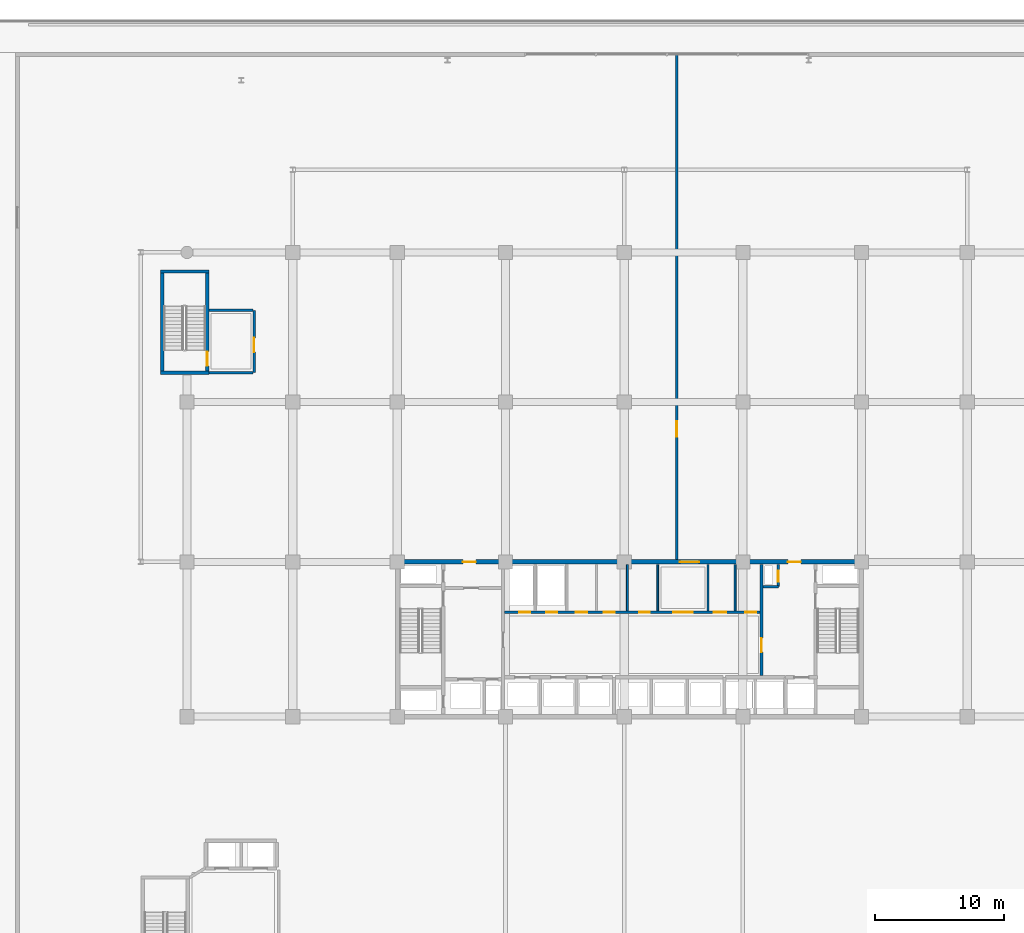
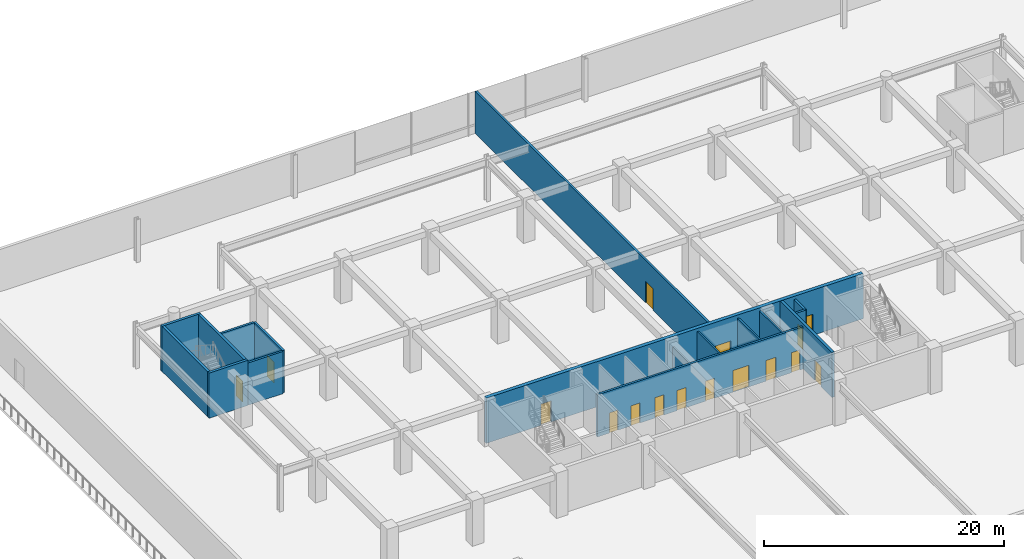
# One storey, part 25 of 45: 17 walls, 16 doors, 16 openings.
"""IFC4 building model written with IfcOpenShell, lengths in metres."""

from ifc_helpers import new_model, si_unit, direction, frame, frame_2d, origin, place, context, subcontext, project, spatial, rectangle, extrude, material, layer, layer_set, type_object, element, fill, save


model = new_model("IFC4")

# Units and contexts
model_context = context("Model", 3, precision=1e-05, world=origin(), true_north=direction((0.0, 1.0)))
body_context = subcontext(model_context, "Body", "Model", "MODEL_VIEW")
ifc_project = project(units=[si_unit("LENGTHUNIT", "METRE"), si_unit("AREAUNIT", "SQUARE_METRE"), si_unit("VOLUMEUNIT", "CUBIC_METRE"), si_unit("PLANEANGLEUNIT", "RADIAN"), si_unit("MASSUNIT", "GRAM", prefix="KILO")], contexts=[model_context])

# Site, building, storey
site_placement = place(None, origin())
site = spatial("IfcSite", under=ifc_project, at=site_placement, CompositionType="ELEMENT")
building_placement = place(site_placement, origin())
building = spatial("IfcBuilding", under=site, at=building_placement, Name="Korimba Cascade Residences", CompositionType="ELEMENT")
storey_placement = place(building_placement, frame((0.0, 0.0, 5.39990234375)))
storey = spatial("IfcBuildingStorey", under=building, at=storey_placement, Name="L01", CompositionType="ELEMENT", Elevation=5.39990234375)

# Wall, openings, doors
ifc_material_1 = material(Name="Concrete C65/80", Category="concrete")
ifc_layer_1 = layer(ifc_material_1, 0.35009765625)
ifc_layer_set_1 = layer_set([ifc_layer_1], Name="Concrete C65/80")
wall_type_1 = type_object("IfcWallType", Name="WAL-CORE-350", PredefinedType="SHEAR", material=ifc_layer_set_1)
wall_1_placement = place(storey_placement, frame((75.949951171875, 67.199951171875, 0.0), z_axis=(0.0, 0.0, 1.0), x_axis=(1.0, 0.0, 0.0)))
wall_1 = element("IfcWall", 1, at=wall_1_placement, inside=storey, type_object=wall_type_1, Name="L01 Core Shear Wall CW-L01-T1-N", PredefinedType="SHEAR", context=body_context, shape_type="SweptSolid", body=[
    extrude(rectangle(XDim=36.300048828125, YDim=0.35009765625, at=frame_2d((18.14990234375, 0.0))), origin(), (0.0, 0.0, 1.0), 4.60009765625),
])
opening_1_placement = place(wall_1_placement, frame((5.25, 0.0, 0.0)))
opening_1 = element("IfcOpeningElement", 2, at=opening_1_placement, cuts=wall_1, Name="Opening D-FD5", PredefinedType="OPENING", context=body_context, shape_type="SweptSolid", body=[
    extrude(rectangle(XDim=1.0, YDim=2.14990234375, at=frame_2d((0.5, 1.074951171875))), frame((0.0, 0.18505859375, 0.0), z_axis=(0.0, -1.0, 0.0), x_axis=(1.0, 0.0, 0.0)), (0.0, 0.0, 1.0), 0.3701171875),
])
opening_2_placement = place(wall_1_placement, frame((22.05810546875, 0.0, 0.0)))
opening_2 = element("IfcOpeningElement", 3, at=opening_2_placement, cuts=wall_1, Name="Opening D-FD8", PredefinedType="OPENING", context=body_context, shape_type="SweptSolid", body=[
    extrude(rectangle(XDim=1.5, YDim=2.199951171875, at=frame_2d((0.75, 1.10009765625))), frame((0.0, 0.18505859375, 0.0), z_axis=(0.0, -1.0, 0.0), x_axis=(1.0, 0.0, 0.0)), (0.0, 0.0, 1.0), 0.3701171875),
])
opening_3_placement = place(wall_1_placement, frame((30.449951171875, 0.0, 0.0)))
opening_3 = element("IfcOpeningElement", 4, at=opening_3_placement, cuts=wall_1, Name="Opening D-FD5", PredefinedType="OPENING", context=body_context, shape_type="SweptSolid", body=[
    extrude(rectangle(XDim=1.0, YDim=2.14990234375, at=frame_2d((0.5, 1.074951171875))), frame((0.0, 0.18505859375, 0.0), z_axis=(0.0, -1.0, 0.0), x_axis=(1.0, 0.0, 0.0)), (0.0, 0.0, 1.0), 0.3701171875),
])
ifc_material_2 = material(Name="Fire-Rated Acoustic Timber Vestibule Door", Category="wood")
door_type_1 = type_object("IfcDoorType", Name="DR-FD90-1000", OperationType="NOTDEFINED", PredefinedType="DOOR", material=ifc_material_2)
door_1_placement = place(opening_1_placement, origin())
door_1 = element("IfcDoor", 5, at=door_1_placement, inside=storey, type_object=door_type_1, Name="L01 T1 West Core Vestibule Fire Door", OperationType="SINGLE_SWING_LEFT", OverallHeight=2.14990234375, OverallWidth=1.0, PredefinedType="DOOR", context=body_context, shape_type="SweptSolid", body=[
    extrude(rectangle(XDim=1.0, YDim=2.14990234375, at=frame_2d((0.5, 1.074951171875))), frame((0.0, 0.02490234375, 0.0), z_axis=(0.0, -1.0, 0.0), x_axis=(1.0, 0.0, 0.0)), (0.0, 0.0, 1.0), 0.050048828125),
])
fill(opening_1, door_1)
door_2_placement = place(opening_3_placement, origin())
door_2 = element("IfcDoor", 6, at=door_2_placement, inside=storey, type_object=door_type_1, Name="L01 T1 East Firefighting Vestibule Fire Door", OperationType="SINGLE_SWING_RIGHT", OverallHeight=2.14990234375, OverallWidth=1.0, PredefinedType="DOOR", context=body_context, shape_type="SweptSolid", body=[
    extrude(rectangle(XDim=1.0, YDim=2.14990234375, at=frame_2d((0.5, 1.074951171875))), frame((0.0, 0.02490234375, 0.0), z_axis=(0.0, -1.0, 0.0), x_axis=(1.0, 0.0, 0.0)), (0.0, 0.0, 1.0), 0.050048828125),
])
fill(opening_3, door_2)
ifc_material_3 = material(Name="Fire-Rated Glazed Lift Lobby Double Door", Category="glass")
door_type_2 = type_object("IfcDoorType", Name="DR-FD90-1500", OperationType="NOTDEFINED", PredefinedType="DOOR", material=ifc_material_3)
door_3_placement = place(opening_2_placement, origin())
door_3 = element("IfcDoor", 7, at=door_3_placement, inside=storey, type_object=door_type_2, Name="L01 T1 Lift Lobby Fire Door", OperationType="DOUBLE_DOOR_SINGLE_SWING", OverallHeight=2.199951171875, OverallWidth=1.5, PredefinedType="DOOR", context=body_context, shape_type="SweptSolid", body=[
    extrude(rectangle(XDim=1.5, YDim=2.199951171875, at=frame_2d((0.75, 1.10009765625))), frame((0.0, 0.02490234375, 0.0), z_axis=(0.0, -1.0, 0.0), x_axis=(1.0, 0.0, 0.0)), (0.0, 0.0, 1.0), 0.050048828125),
])
fill(opening_2, door_3)

# Walls
ifc_material_4 = material(Name="Insulated Acoustic Stud Partition", Category="gypsum")
ifc_layer_2 = layer(ifc_material_4, 0.14990234375)
ifc_layer_set_2 = layer_set([ifc_layer_2], Name="Insulated Acoustic Stud Partition")
wall_type_2 = type_object("IfcWallType", Name="WAL-PART-150", PredefinedType="PARTITIONING", material=ifc_layer_set_2)
wall_2_placement = place(storey_placement, frame((93.949951171875, 63.39990234375, 0.0), z_axis=(0.0, 0.0, 1.0), x_axis=(0.0, 1.0, 0.0)))
element("IfcWall", 8, at=wall_2_placement, inside=storey, type_object=wall_type_2, Name="L01 Partition Wall CW-L01-T1-CA1W2", PredefinedType="PARTITIONING", context=body_context, shape_type="SweptSolid", body=[
    extrude(rectangle(XDim=3.60009765625, YDim=0.14990234375, at=frame_2d((1.800048828125, 0.0))), origin(), (0.0, 0.0, 1.0), 3.550048828125),
])
for number, where, z_axis, x_axis, name in (
    (9, (102.300048828125, 63.39990234375, 0.0), (0.0, 0.0, 1.0), (0.0, 1.0, 0.0), "L01 Partition Wall CW-L01-T1-CA1E1"),
    (10, (96.300048828125, 63.39990234375, 0.0), (0.0, 0.0, 1.0), (0.0, 1.0, 0.0), "L01 Partition Wall CW-L01-T1-THW"),
    (11, (100.199951171875, 63.39990234375, 0.0), (0.0, 0.0, 1.0), (0.0, 1.0, 0.0), "L01 Partition Wall CW-L01-T1-THE"),
):
    element("IfcWall", number, at=place(storey_placement, frame(where, z_axis=z_axis, x_axis=x_axis)), inside=storey, type_object=wall_type_2, Name=name, PredefinedType="PARTITIONING", context=body_context, shape_type="SweptSolid", body=[
        extrude(rectangle(XDim=3.60009765625, YDim=0.14990234375, at=frame_2d((1.800048828125, 0.0))), origin(), (0.0, 0.0, 1.0), 4.300048828125),
    ])

# Wall, openings, doors
ifc_material_5 = material(Name="Concrete C40/50", Category="concrete")
ifc_layer_3 = layer(ifc_material_5, 0.199951171875)
ifc_layer_set_3 = layer_set([ifc_layer_3], Name="Concrete C40/50")
wall_type_3 = type_object("IfcWallType", Name="WAL-PART-200", PredefinedType="PARTITIONING", material=ifc_layer_set_3)
wall_3_placement = place(storey_placement, frame((84.419921875, 63.300048828125, 0.0), z_axis=(0.0, 0.0, 1.0), x_axis=(1.0, 0.0, 0.0)))
wall_3 = element("IfcWall", 12, at=wall_3_placement, inside=storey, type_object=wall_type_3, Name="L01 Partition Wall CW-L01-T1-SRVROW", PredefinedType="PARTITIONING", context=body_context, shape_type="SweptSolid", body=[
    extrude(rectangle(XDim=19.830078125, YDim=0.199951171875, at=frame_2d((9.9150390625, 0.0))), origin(), (0.0, 0.0, 1.0), 4.300048828125),
])
opening_4_placement = place(wall_3_placement, frame((1.14990234375, 0.0, 0.0)))
opening_4 = element("IfcOpeningElement", 13, at=opening_4_placement, cuts=wall_3, Name="Opening D-RS1", PredefinedType="OPENING", context=body_context, shape_type="SweptSolid", body=[
    extrude(rectangle(XDim=0.85009765625, YDim=2.050048828125, at=frame_2d((0.425048828125, 1.02490234375))), frame((0.0, 0.10986328125, 0.0), z_axis=(0.0, -1.0, 0.0), x_axis=(1.0, 0.0, 0.0)), (0.0, 0.0, 1.0), 0.219970703125),
])
opening_5_placement = place(wall_3_placement, frame((3.25, 0.0, 0.0)))
opening_5 = element("IfcOpeningElement", 14, at=opening_5_placement, cuts=wall_3, Name="Opening D-RS1", PredefinedType="OPENING", context=body_context, shape_type="SweptSolid", body=[
    extrude(rectangle(XDim=0.85009765625, YDim=2.050048828125, at=frame_2d((0.425048828125, 1.02490234375))), frame((0.0, 0.10986328125, 0.0), z_axis=(0.0, -1.0, 0.0), x_axis=(1.0, 0.0, 0.0)), (0.0, 0.0, 1.0), 0.219970703125),
])
opening_6_placement = place(wall_3_placement, frame((13.080078125, 0.0, 0.0)))
opening_6 = element("IfcOpeningElement", 15, at=opening_6_placement, cuts=wall_3, Name="Opening D-FD8", PredefinedType="OPENING", context=body_context, shape_type="SweptSolid", body=[
    extrude(rectangle(XDim=1.5, YDim=2.199951171875, at=frame_2d((0.75, 1.10009765625))), frame((0.0, 0.10986328125, 0.0), z_axis=(0.0, -1.0, 0.0), x_axis=(1.0, 0.0, 0.0)), (0.0, 0.0, 1.0), 0.219970703125),
])
opening_7_placement = place(wall_3_placement, frame((5.530029296875, 0.0, 0.0)))
opening_7 = element("IfcOpeningElement", 16, at=opening_7_placement, cuts=wall_3, Name="Opening D-IN2", PredefinedType="OPENING", context=body_context, shape_type="SweptSolid", body=[
    extrude(rectangle(XDim=0.8798828125, YDim=2.06005859375, at=frame_2d((0.43994140625, 1.030029296875))), frame((0.0, 0.10986328125, 0.0), z_axis=(0.0, -1.0, 0.0), x_axis=(1.0, 0.0, 0.0)), (0.0, 0.0, 1.0), 0.219970703125),
])
opening_8_placement = place(wall_3_placement, frame((7.679931640625, 0.0, 0.0)))
opening_8 = element("IfcOpeningElement", 17, at=opening_8_placement, cuts=wall_3, Name="Opening D-IN2", PredefinedType="OPENING", context=body_context, shape_type="SweptSolid", body=[
    extrude(rectangle(XDim=0.8798828125, YDim=2.06005859375, at=frame_2d((0.43994140625, 1.030029296875))), frame((0.0, 0.10986328125, 0.0), z_axis=(0.0, -1.0, 0.0), x_axis=(1.0, 0.0, 0.0)), (0.0, 0.0, 1.0), 0.219970703125),
])
opening_9_placement = place(wall_3_placement, frame((10.429931640625, 0.0, 0.0)))
opening_9 = element("IfcOpeningElement", 18, at=opening_9_placement, cuts=wall_3, Name="Opening D-RS1", PredefinedType="OPENING", context=body_context, shape_type="SweptSolid", body=[
    extrude(rectangle(XDim=0.85009765625, YDim=2.050048828125, at=frame_2d((0.425048828125, 1.02490234375))), frame((0.0, 0.10986328125, 0.0), z_axis=(0.0, -1.0, 0.0), x_axis=(1.0, 0.0, 0.0)), (0.0, 0.0, 1.0), 0.219970703125),
])
opening_10_placement = place(wall_3_placement, frame((16.22998046875, 0.0, 0.0)))
opening_10 = element("IfcOpeningElement", 19, at=opening_10_placement, cuts=wall_3, Name="Opening D-AC1", PredefinedType="OPENING", context=body_context, shape_type="SweptSolid", body=[
    extrude(rectangle(XDim=0.9599609375, YDim=2.10009765625, at=frame_2d((0.47998046875, 1.050048828125))), frame((0.0, 0.10986328125, 0.0), z_axis=(0.0, -1.0, 0.0), x_axis=(1.0, 0.0, 0.0)), (0.0, 0.0, 1.0), 0.219970703125),
])
opening_11_placement = place(wall_3_placement, frame((18.679931640625, 0.0, 0.0)))
opening_11 = element("IfcOpeningElement", 20, at=opening_11_placement, cuts=wall_3, Name="Opening D-BT1", PredefinedType="OPENING", context=body_context, shape_type="SweptSolid", body=[
    extrude(rectangle(XDim=0.840087890625, YDim=2.0400390625, at=frame_2d((0.419921875, 1.02001953125))), frame((0.0, 0.10986328125, 0.0), z_axis=(0.0, -1.0, 0.0), x_axis=(1.0, 0.0, 0.0)), (0.0, 0.0, 1.0), 0.219970703125),
])
ifc_material_6 = material(Name="Accessible Acoustic Timber WC Door", Category="wood")
door_type_3 = type_object("IfcDoorType", Name="DR-ACC-950", OperationType="NOTDEFINED", PredefinedType="DOOR", material=ifc_material_6)
door_4_placement = place(opening_10_placement, origin())
door_4 = element("IfcDoor", 21, at=door_4_placement, inside=storey, type_object=door_type_3, Name="L01 Accessible Staff WC Door", OperationType="SINGLE_SWING_RIGHT", OverallHeight=2.10009765625, OverallWidth=0.9599609375, PredefinedType="DOOR", context=body_context, shape_type="SweptSolid", body=[
    extrude(rectangle(XDim=0.9599609375, YDim=2.10009765625, at=frame_2d((0.47998046875, 1.050048828125))), frame((0.0, 0.02490234375, 0.0), z_axis=(0.0, -1.0, 0.0), x_axis=(1.0, 0.0, 0.0)), (0.0, 0.0, 1.0), 0.050048828125),
])
fill(opening_10, door_4)
ifc_material_7 = material(Name="Fire-Rated Steel Riser Access Door", Category="steel")
door_type_4 = type_object("IfcDoorType", Name="DR-FD60-850", OperationType="NOTDEFINED", PredefinedType="DOOR", material=ifc_material_7)
door_5_placement = place(opening_4_placement, origin())
door_5 = element("IfcDoor", 22, at=door_5_placement, inside=storey, type_object=door_type_4, Name="L01 Electrical Riser Door", OperationType="SINGLE_SWING_LEFT", OverallHeight=2.050048828125, OverallWidth=0.85009765625, PredefinedType="DOOR", context=body_context, shape_type="SweptSolid", body=[
    extrude(rectangle(XDim=0.85009765625, YDim=2.050048828125, at=frame_2d((0.425048828125, 1.02490234375))), frame((0.0, 0.02490234375, 0.0), z_axis=(0.0, -1.0, 0.0), x_axis=(1.0, 0.0, 0.0)), (0.0, 0.0, 1.0), 0.050048828125),
])
fill(opening_4, door_5)
door_6_placement = place(opening_5_placement, origin())
door_6 = element("IfcDoor", 23, at=door_6_placement, inside=storey, type_object=door_type_4, Name="L01 Plumbing Riser Door", OperationType="SINGLE_SWING_RIGHT", OverallHeight=2.050048828125, OverallWidth=0.85009765625, PredefinedType="DOOR", context=body_context, shape_type="SweptSolid", body=[
    extrude(rectangle(XDim=0.85009765625, YDim=2.050048828125, at=frame_2d((0.425048828125, 1.02490234375))), frame((0.0, 0.02490234375, 0.0), z_axis=(0.0, -1.0, 0.0), x_axis=(1.0, 0.0, 0.0)), (0.0, 0.0, 1.0), 0.050048828125),
])
fill(opening_5, door_6)
door_7_placement = place(opening_9_placement, origin())
door_7 = element("IfcDoor", 24, at=door_7_placement, inside=storey, type_object=door_type_4, Name="L01 IT Room Door", OperationType="SINGLE_SWING_LEFT", OverallHeight=2.050048828125, OverallWidth=0.85009765625, PredefinedType="DOOR", context=body_context, shape_type="SweptSolid", body=[
    extrude(rectangle(XDim=0.85009765625, YDim=2.050048828125, at=frame_2d((0.425048828125, 1.02490234375))), frame((0.0, 0.02490234375, 0.0), z_axis=(0.0, -1.0, 0.0), x_axis=(1.0, 0.0, 0.0)), (0.0, 0.0, 1.0), 0.050048828125),
])
fill(opening_9, door_7)
door_8_placement = place(opening_6_placement, origin())
door_8 = element("IfcDoor", 25, at=door_8_placement, inside=storey, type_object=door_type_2, Name="L01 Lift Lobby Foyer Archway Door", OperationType="DOUBLE_DOOR_SINGLE_SWING", OverallHeight=2.199951171875, OverallWidth=1.5, PredefinedType="DOOR", context=body_context, shape_type="SweptSolid", body=[
    extrude(rectangle(XDim=1.5, YDim=2.199951171875, at=frame_2d((0.75, 1.10009765625))), frame((0.0, 0.02490234375, 0.0), z_axis=(0.0, -1.0, 0.0), x_axis=(1.0, 0.0, 0.0)), (0.0, 0.0, 1.0), 0.050048828125),
])
fill(opening_6, door_8)
ifc_material_8 = material(Name="Moisture-Resistant Bathroom Timber Door", Category="wood")
door_type_5 = type_object("IfcDoorType", Name="DR-INT-850", OperationType="NOTDEFINED", PredefinedType="DOOR", material=ifc_material_8)
door_9_placement = place(opening_11_placement, origin())
door_9 = element("IfcDoor", 26, at=door_9_placement, inside=storey, type_object=door_type_5, Name="L01 Vending Room Door", OperationType="SINGLE_SWING_LEFT", OverallHeight=2.0400390625, OverallWidth=0.840087890625, PredefinedType="DOOR", context=body_context, shape_type="SweptSolid", body=[
    extrude(rectangle(XDim=0.840087890625, YDim=2.0400390625, at=frame_2d((0.419921875, 1.02001953125))), frame((0.0, 0.02490234375, 0.0), z_axis=(0.0, -1.0, 0.0), x_axis=(1.0, 0.0, 0.0)), (0.0, 0.0, 1.0), 0.050048828125),
])
fill(opening_11, door_9)
ifc_material_9 = material(Name="Acoustic Timber Bedroom Door", Category="wood")
door_type_6 = type_object("IfcDoorType", Name="DR-INT-880", OperationType="NOTDEFINED", PredefinedType="DOOR", material=ifc_material_9)
door_10_placement = place(opening_7_placement, origin())
door_10 = element("IfcDoor", 27, at=door_10_placement, inside=storey, type_object=door_type_6, Name="L01 Cleaners Door", OperationType="SINGLE_SWING_LEFT", OverallHeight=2.06005859375, OverallWidth=0.8798828125, PredefinedType="DOOR", context=body_context, shape_type="SweptSolid", body=[
    extrude(rectangle(XDim=0.8798828125, YDim=2.06005859375, at=frame_2d((0.43994140625, 1.030029296875))), frame((0.0, 0.02490234375, 0.0), z_axis=(0.0, -1.0, 0.0), x_axis=(1.0, 0.0, 0.0)), (0.0, 0.0, 1.0), 0.050048828125),
])
fill(opening_7, door_10)
door_11_placement = place(opening_8_placement, origin())
door_11 = element("IfcDoor", 28, at=door_11_placement, inside=storey, type_object=door_type_6, Name="L01 Pantry Door", OperationType="SINGLE_SWING_RIGHT", OverallHeight=2.06005859375, OverallWidth=0.8798828125, PredefinedType="DOOR", context=body_context, shape_type="SweptSolid", body=[
    extrude(rectangle(XDim=0.8798828125, YDim=2.06005859375, at=frame_2d((0.43994140625, 1.030029296875))), frame((0.0, 0.02490234375, 0.0), z_axis=(0.0, -1.0, 0.0), x_axis=(1.0, 0.0, 0.0)), (0.0, 0.0, 1.0), 0.050048828125),
])
fill(opening_8, door_11)

# Wall
wall_4_placement = place(storey_placement, frame((104.449951171875, 65.280029296875, 0.0), z_axis=(0.0, 0.0, 1.0), x_axis=(1.0, 0.0, 0.0)))
element("IfcWall", 29, at=wall_4_placement, inside=storey, type_object=wall_type_3, Name="L01 Partition Wall CW-L01-T1-HYDW2S", PredefinedType="PARTITIONING", context=body_context, shape_type="SweptSolid", body=[
    extrude(rectangle(XDim=1.199951171875, YDim=0.199951171875, at=frame_2d((0.60009765625, 0.0))), origin(), (0.0, 0.0, 1.0), 4.300048828125),
])

# Wall, opening, door
wall_5_placement = place(storey_placement, frame((105.64990234375, 65.280029296875, 0.0), z_axis=(0.0, 0.0, 1.0), x_axis=(0.0, 1.0, 0.0)))
wall_5 = element("IfcWall", 30, at=wall_5_placement, inside=storey, type_object=wall_type_3, Name="L01 Partition Wall CW-L01-T1-HYDW2E", PredefinedType="PARTITIONING", context=body_context, shape_type="SweptSolid", body=[
    extrude(rectangle(XDim=1.719970703125, YDim=0.199951171875, at=frame_2d((0.85986328125, 0.0))), origin(), (0.0, 0.0, 1.0), 4.300048828125),
])
opening_12_placement = place(wall_5_placement, frame((0.39990234375, 0.0, 0.0)))
opening_12 = element("IfcOpeningElement", 31, at=opening_12_placement, cuts=wall_5, Name="Opening D-RS1", PredefinedType="OPENING", context=body_context, shape_type="SweptSolid", body=[
    extrude(rectangle(XDim=0.85009765625, YDim=2.050048828125, at=frame_2d((0.425048828125, 1.02490234375))), frame((0.0, 0.10986328125, 0.0), z_axis=(0.0, -1.0, 0.0), x_axis=(1.0, 0.0, 0.0)), (0.0, 0.0, 1.0), 0.219970703125),
])
door_12_placement = place(opening_12_placement, origin())
door_12 = element("IfcDoor", 32, at=door_12_placement, inside=storey, type_object=door_type_4, Name="L01 East Hydrant Door", OperationType="SINGLE_SWING_RIGHT", OverallHeight=2.050048828125, OverallWidth=0.85009765625, PredefinedType="DOOR", context=body_context, shape_type="SweptSolid", body=[
    extrude(rectangle(XDim=0.85009765625, YDim=2.050048828125, at=frame_2d((0.425048828125, 1.02490234375))), frame((0.0, 0.02490234375, 0.0), z_axis=(0.0, -1.0, 0.0), x_axis=(1.0, 0.0, 0.0)), (0.0, 0.0, 1.0), 0.050048828125),
])
fill(opening_12, door_12)

wall_6_placement = place(storey_placement, frame((65.0, 81.875, 0.0), z_axis=(0.0, 0.0, 1.0), x_axis=(0.0, 1.0, 0.0)))
wall_6 = element("IfcWall", 33, at=wall_6_placement, inside=storey, type_object=wall_type_3, Name="L01 Partition Wall CW-L01-PL5E", PredefinedType="PARTITIONING", context=body_context, shape_type="SweptSolid", body=[
    extrude(rectangle(XDim=4.824951171875, YDim=0.199951171875, at=frame_2d((2.41259765625, 0.0))), origin(), (0.0, 0.0, 1.0), 4.300048828125),
])
opening_13_placement = place(wall_6_placement, frame((1.60009765625, 0.0, 0.0)))
opening_13 = element("IfcOpeningElement", 34, at=opening_13_placement, cuts=wall_6, Name="Opening D-FD6", PredefinedType="OPENING", context=body_context, shape_type="SweptSolid", body=[
    extrude(rectangle(XDim=1.10009765625, YDim=2.14990234375, at=frame_2d((0.550048828125, 1.074951171875))), frame((0.0, 0.10986328125, 0.0), z_axis=(0.0, -1.0, 0.0), x_axis=(1.0, 0.0, 0.0)), (0.0, 0.0, 1.0), 0.219970703125),
])
ifc_material_10 = material(Name="Fire-Rated Timber Stair Lobby Door", Category="wood")
door_type_7 = type_object("IfcDoorType", Name="DR-FD90-1100", OperationType="NOTDEFINED", PredefinedType="DOOR", material=ifc_material_10)
door_13_placement = place(opening_13_placement, origin())
door_13 = element("IfcDoor", 35, at=door_13_placement, inside=storey, type_object=door_type_7, Name="L01 North-West Stair Vestibule Door", OperationType="SINGLE_SWING_LEFT", OverallHeight=2.14990234375, OverallWidth=1.10009765625, PredefinedType="DOOR", context=body_context, shape_type="SweptSolid", body=[
    extrude(rectangle(XDim=1.10009765625, YDim=2.14990234375, at=frame_2d((0.550048828125, 1.074951171875))), frame((0.0, 0.02490234375, 0.0), z_axis=(0.0, -1.0, 0.0), x_axis=(1.0, 0.0, 0.0)), (0.0, 0.0, 1.0), 0.050048828125),
])
fill(opening_13, door_13)

# Walls
for number, where, z_axis, x_axis, name in (
    (36, (61.5, 81.875, 0.0), (0.0, 0.0, 1.0), (1.0, 0.0, 0.0), "L01 Partition Wall CW-L01-PL5S"),
    (37, (61.5, 86.699951171875, 0.0), (0.0, 0.0, 1.0), (1.0, 0.0, 0.0), "L01 Partition Wall CW-L01-PL5N"),
):
    element("IfcWall", number, at=place(storey_placement, frame(where, z_axis=z_axis, x_axis=x_axis)), inside=storey, type_object=wall_type_3, Name=name, PredefinedType="PARTITIONING", context=body_context, shape_type="SweptSolid", body=[
        extrude(rectangle(XDim=3.39990234375, YDim=0.199951171875, at=frame_2d((1.699951171875, 0.0))), origin(), (0.0, 0.0, 1.0), 4.300048828125),
    ])

# Wall, opening, door
wall_7_placement = place(storey_placement, frame((97.77001953125, 67.39990234375, 0.0), z_axis=(0.0, 0.0, 1.0), x_axis=(0.0, 1.0, 0.0)))
wall_7 = element("IfcWall", 38, at=wall_7_placement, inside=storey, type_object=wall_type_3, Name="L01 Partition Wall WAL-L01-NDIV1", PredefinedType="PARTITIONING", context=body_context, shape_type="SweptSolid", body=[
    extrude(rectangle(XDim=39.1201171875, YDim=0.199951171875, at=frame_2d((19.56005859375, 0.0))), origin(), (0.0, 0.0, 1.0), 4.300048828125),
])
opening_14_placement = place(wall_7_placement, frame((9.5, 0.0, 0.0)))
opening_14 = element("IfcOpeningElement", 39, at=opening_14_placement, cuts=wall_7, Name="Opening D-AM1", PredefinedType="OPENING", context=body_context, shape_type="SweptSolid", body=[
    extrude(rectangle(XDim=1.219970703125, YDim=2.179931640625, at=frame_2d((0.60986328125, 1.08984375))), frame((0.0, 0.10986328125, 0.0), z_axis=(0.0, -1.0, 0.0), x_axis=(1.0, 0.0, 0.0)), (0.0, 0.0, 1.0), 0.219970703125),
])
ifc_material_11 = material(Name="Fire-Rated Glazed Timber Suite Door", Category="wood")
door_type_8 = type_object("IfcDoorType", Name="DR-FD60-1200", OperationType="NOTDEFINED", PredefinedType="DOOR", material=ifc_material_11)
door_14_placement = place(opening_14_placement, origin())
door_14 = element("IfcDoor", 40, at=door_14_placement, inside=storey, type_object=door_type_8, Name="L01 North Podium Link Door 1", OperationType="SINGLE_SWING_RIGHT", OverallHeight=2.179931640625, OverallWidth=1.219970703125, PredefinedType="DOOR", context=body_context, shape_type="SweptSolid", body=[
    extrude(rectangle(XDim=1.219970703125, YDim=2.179931640625, at=frame_2d((0.60986328125, 1.08984375))), frame((0.0, 0.02490234375, 0.0), z_axis=(0.0, -1.0, 0.0), x_axis=(1.0, 0.0, 0.0)), (0.0, 0.0, 1.0), 0.050048828125),
])
fill(opening_14, door_14)

ifc_material_12 = material(Name="Concrete C50/60", Category="concrete")
ifc_layer_4 = layer(ifc_material_12, 0.25)
ifc_layer_set_4 = layer_set([ifc_layer_4], Name="Concrete C50/60")
wall_type_4 = type_object("IfcWallType", Name="WAL-SHAFT-250", PredefinedType="SHEAR", material=ifc_layer_set_4)
wall_8_placement = place(storey_placement, frame((104.35009765625, 58.39990234375, 0.0), z_axis=(0.0, 0.0, 1.0), x_axis=(0.0, 1.0, 0.0)))
wall_8 = element("IfcWall", 41, at=wall_8_placement, inside=storey, type_object=wall_type_4, Name="L01 Core Shear Wall CW-L01-T1-LLEV", PredefinedType="SHEAR", context=body_context, shape_type="SweptSolid", body=[
    extrude(rectangle(XDim=8.60009765625, YDim=0.25, at=frame_2d((4.300048828125, 0.0))), origin(), (0.0, 0.0, 1.0), 4.60009765625),
])
opening_15_placement = place(wall_8_placement, frame((1.800048828125, 0.0, 0.0)))
opening_15 = element("IfcOpeningElement", 42, at=opening_15_placement, cuts=wall_8, Name="Opening D-FD1", PredefinedType="OPENING", context=body_context, shape_type="SweptSolid", body=[
    extrude(rectangle(XDim=1.10009765625, YDim=2.10009765625, at=frame_2d((0.550048828125, 1.050048828125))), frame((0.0, 0.135009765625, 0.0), z_axis=(0.0, -1.0, 0.0), x_axis=(1.0, 0.0, 0.0)), (0.0, 0.0, 1.0), 0.27001953125),
])
ifc_material_13 = material(Name="Fire-Rated Steel Core Door", Category="steel")
door_type_9 = type_object("IfcDoorType", Name="DR-FD120-1100", OperationType="NOTDEFINED", PredefinedType="DOOR", material=ifc_material_13)
door_15_placement = place(opening_15_placement, origin())
door_15 = element("IfcDoor", 43, at=door_15_placement, inside=storey, type_object=door_type_9, Name="L01 Lift Lobby to East Firefighting Lobby Door", OperationType="SINGLE_SWING_LEFT", OverallHeight=2.10009765625, OverallWidth=1.10009765625, PredefinedType="DOOR", context=body_context, shape_type="SweptSolid", body=[
    extrude(rectangle(XDim=1.10009765625, YDim=2.10009765625, at=frame_2d((0.550048828125, 1.050048828125))), frame((0.0, 0.02490234375, 0.0), z_axis=(0.0, -1.0, 0.0), x_axis=(1.0, 0.0, 0.0)), (0.0, 0.0, 1.0), 0.050048828125),
])
fill(opening_15, door_15)

# Walls
wall_9_placement = place(storey_placement, frame((57.875, 82.0, 0.0), z_axis=(0.0, 0.0, 1.0), x_axis=(0.0, 1.0, 0.0)))
element("IfcWall", 44, at=wall_9_placement, inside=storey, type_object=wall_type_4, Name="L01 Core Shear Wall CW-L01-STP5W", PredefinedType="SHEAR", context=body_context, shape_type="SweptSolid", body=[
    extrude(rectangle(XDim=7.60009765625, YDim=0.25, at=frame_2d((3.800048828125, 0.0))), origin(), (0.0, 0.0, 1.0), 4.60009765625),
])
for number, where, z_axis, x_axis, name in (
    (45, (57.75, 81.875, 0.0), (0.0, 0.0, 1.0), (1.0, 0.0, 0.0), "L01 Core Shear Wall CW-L01-STP5S"),
    (46, (57.75, 89.72509765625, 0.0), (0.0, 0.0, 1.0), (1.0, 0.0, 0.0), "L01 Core Shear Wall CW-L01-STP5N"),
):
    element("IfcWall", number, at=place(storey_placement, frame(where, z_axis=z_axis, x_axis=x_axis)), inside=storey, type_object=wall_type_4, Name=name, PredefinedType="SHEAR", context=body_context, shape_type="SweptSolid", body=[
        extrude(rectangle(XDim=3.739990234375, YDim=0.25, at=frame_2d((1.8701171875, 0.0))), origin(), (0.0, 0.0, 1.0), 4.60009765625),
    ])

# Wall, opening, door
wall_10_placement = place(storey_placement, frame((61.364990234375, 82.0, 0.0), z_axis=(0.0, 0.0, 1.0), x_axis=(0.0, 1.0, 0.0)))
wall_10 = element("IfcWall", 47, at=wall_10_placement, inside=storey, type_object=wall_type_4, Name="L01 Core Shear Wall CW-L01-STP5E", PredefinedType="SHEAR", context=body_context, shape_type="SweptSolid", body=[
    extrude(rectangle(XDim=7.60009765625, YDim=0.25, at=frame_2d((3.800048828125, 0.0))), origin(), (0.0, 0.0, 1.0), 4.60009765625),
])
opening_16_placement = place(wall_10_placement, frame((0.39990234375, 0.0, 0.0)))
opening_16 = element("IfcOpeningElement", 48, at=opening_16_placement, cuts=wall_10, Name="Opening D-FD1", PredefinedType="OPENING", context=body_context, shape_type="SweptSolid", body=[
    extrude(rectangle(XDim=1.10009765625, YDim=2.10009765625, at=frame_2d((0.550048828125, 1.050048828125))), frame((0.0, 0.135009765625, 0.0), z_axis=(0.0, -1.0, 0.0), x_axis=(1.0, 0.0, 0.0)), (0.0, 0.0, 1.0), 0.27001953125),
])
door_16_placement = place(opening_16_placement, origin())
door_16 = element("IfcDoor", 49, at=door_16_placement, inside=storey, type_object=door_type_9, Name="L01 Podium Stair ST-P5 Door", OperationType="SINGLE_SWING_RIGHT", OverallHeight=2.10009765625, OverallWidth=1.10009765625, PredefinedType="DOOR", context=body_context, shape_type="SweptSolid", body=[
    extrude(rectangle(XDim=1.10009765625, YDim=2.10009765625, at=frame_2d((0.550048828125, 1.050048828125))), frame((0.0, 0.02490234375, 0.0), z_axis=(0.0, -1.0, 0.0), x_axis=(1.0, 0.0, 0.0)), (0.0, 0.0, 1.0), 0.050048828125),
])
fill(opening_16, door_16)

save(model, "model.ifc")
